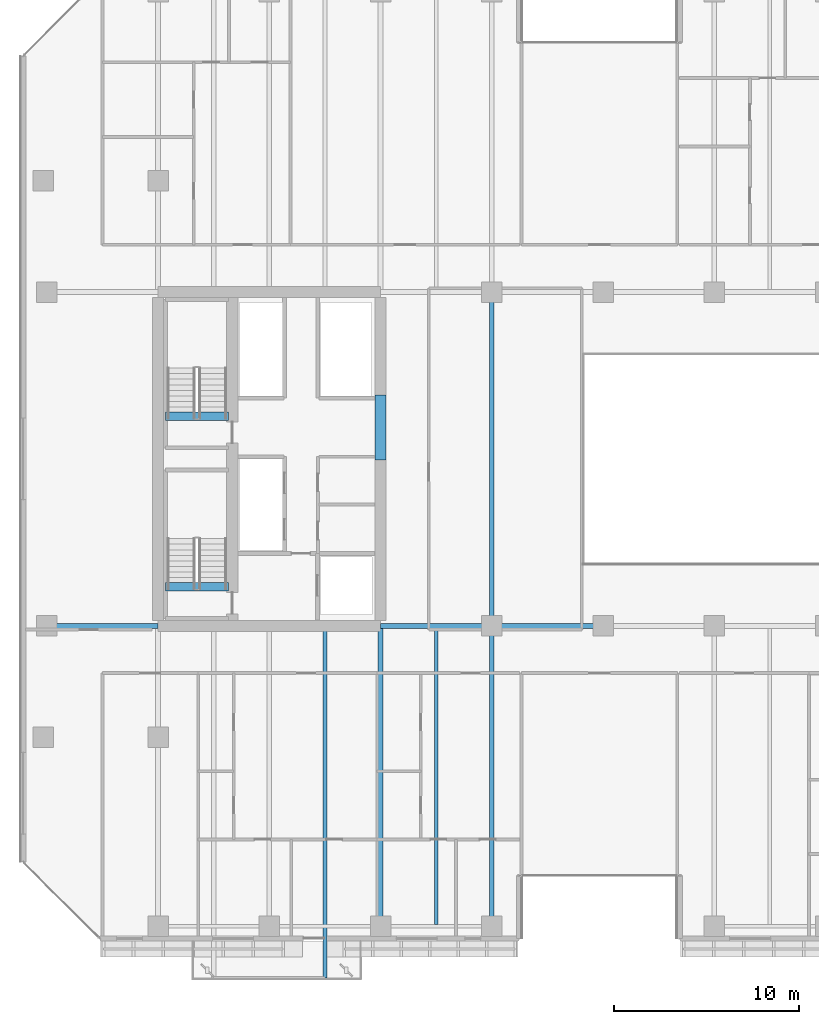
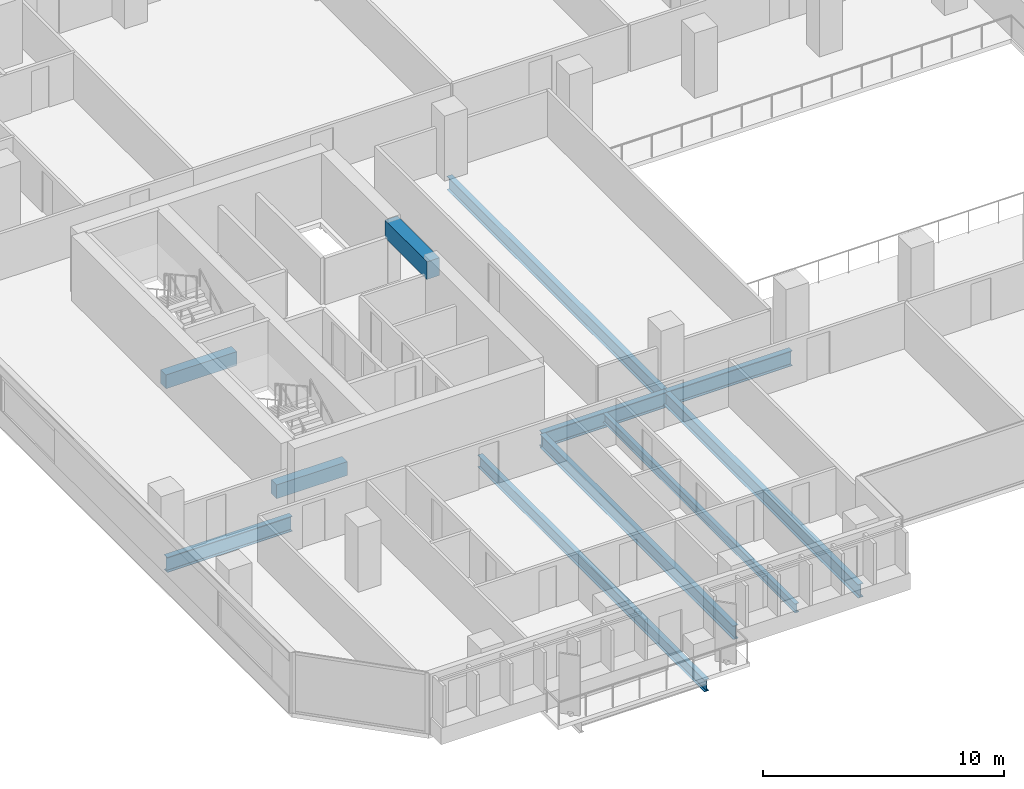
# One storey, part 5 of 34: 11 beams.
"""IFC4 building model written with IfcOpenShell, lengths in metres."""

from ifc_helpers import new_model, si_unit, direction, frame, origin, origin_2d, place, context, subcontext, project, spatial, rectangle, i_section, extrude, material, material_profile, profile_set, type_object, element, save


model = new_model("IFC4")

# Units and contexts
model_context = context("Model", 3, precision=1e-05, world=origin(), true_north=direction((0.0, 1.0)))
body_context = subcontext(model_context, "Body", "Model", "MODEL_VIEW")
ifc_project = project(units=[si_unit("LENGTHUNIT", "METRE"), si_unit("AREAUNIT", "SQUARE_METRE"), si_unit("VOLUMEUNIT", "CUBIC_METRE"), si_unit("PLANEANGLEUNIT", "RADIAN"), si_unit("MASSUNIT", "GRAM", prefix="KILO")], contexts=[model_context])

# Site, building, storey
site_placement = place(None, origin())
site = spatial("IfcSite", under=ifc_project, at=site_placement, CompositionType="ELEMENT")
building_placement = place(site_placement, origin())
building = spatial("IfcBuilding", under=site, at=building_placement, Name="Tanjung Sevakor Pilgrim Tower", CompositionType="ELEMENT")
storey_placement = place(building_placement, frame((0.0, 0.0, 55.43994140625)))
storey = spatial("IfcBuildingStorey", under=building, at=storey_placement, Name="L15", CompositionType="ELEMENT", Elevation=55.43994140625)

# Beams
ifc_material_1 = material(Name="Steel S355J2", Category="steel")
ifc_material_profile_1 = material_profile(ifc_material_1, i_section(OverallWidth=0.26806640625, OverallDepth=0.769775390625, WebThickness=0.015625, FlangeThickness=0.025390625, FilletRadius=0.0166015625, at=origin_2d()))
ifc_profile_set_1 = profile_set([ifc_material_profile_1], Name="Steel S355J2")
beam_type_1 = type_object("IfcBeamType", Name="BM-B-G1-UB_762x267x197", PredefinedType="BEAM", material=ifc_profile_set_1)
for number, where, z_axis, x_axis, name in (
    (1, (18.0, 24.60009765625, -0.604736328125), (1.0, 0.0, 0.0), (0.0, 1.0, 0.0), "L15 Primary Floor Girder MAIN Y246-01"),
    (2, (36.0, 24.60009765625, -0.604736328125), (1.0, 0.0, 0.0), (0.0, 1.0, 0.0), "L15 Primary Floor Girder MAIN Y246-02"),
    (3, (42.0, 24.60009765625, -0.604736328125), (1.0, 0.0, 0.0), (0.0, 1.0, 0.0), "L15 Primary Floor Girder MAIN Y246-03"),
):
    element("IfcBeam", number, at=place(storey_placement, frame(where, z_axis=z_axis, x_axis=x_axis)), inside=storey, type_object=beam_type_1, Name=name, PredefinedType="BEAM", context=body_context, shape_type="SweptSolid", body=[
        extrude(i_section(OverallWidth=0.26806640625, OverallDepth=0.769775390625, WebThickness=0.015625, FlangeThickness=0.025390625, FilletRadius=0.0166015625, at=origin_2d()), origin(), (0.0, 0.0, 1.0), 6.0),
    ])
ifc_material_2 = material(Name="Steel S355J2", Category="steel")
ifc_material_profile_2 = material_profile(ifc_material_2, i_section(OverallWidth=0.25439453125, OverallDepth=0.6875, WebThickness=0.01318359375, FlangeThickness=0.02099609375, FilletRadius=0.01513671875, at=origin_2d()))
ifc_profile_set_2 = profile_set([ifc_material_profile_2], Name="Steel S355J2")
beam_type_2 = type_object("IfcBeamType", Name="BM-B-G2-UB_686x254x152", PredefinedType="BEAM", material=ifc_profile_set_2)
beam_1_placement = place(storey_placement, frame((36.0, 8.39990234375, -0.563720703125), z_axis=(0.0, 1.0, 0.0), x_axis=(-1.0, 0.0, 0.0)))
element("IfcBeam", 4, at=beam_1_placement, inside=storey, type_object=beam_type_2, Name="L15 MAIN Girder 005", PredefinedType="BEAM", context=body_context, shape_type="SweptSolid", body=[
    extrude(i_section(OverallWidth=0.25439453125, OverallDepth=0.6875, WebThickness=0.01318359375, FlangeThickness=0.02099609375, FilletRadius=0.01513671875, at=origin_2d()), origin(), (0.0, 0.0, 1.0), 16.066162109375),
])
beam_2_placement = place(storey_placement, frame((42.0, 8.39990234375, -0.563720703125), z_axis=(0.0, 1.0, 0.0), x_axis=(-1.0, 0.0, 0.0)))
element("IfcBeam", 5, at=beam_2_placement, inside=storey, type_object=beam_type_2, Name="L15 MAIN Girder 009", PredefinedType="BEAM", context=body_context, shape_type="SweptSolid", body=[
    extrude(i_section(OverallWidth=0.25439453125, OverallDepth=0.6875, WebThickness=0.01318359375, FlangeThickness=0.02099609375, FilletRadius=0.01513671875, at=origin_2d()), origin(), (0.0, 0.0, 1.0), 16.2001953125),
])
beam_3_placement = place(storey_placement, frame((42.0, 24.60009765625, -0.563720703125), z_axis=(0.0, 1.0, 0.0), x_axis=(-1.0, 0.0, 0.0)))
element("IfcBeam", 6, at=beam_3_placement, inside=storey, type_object=beam_type_2, Name="L15 MAIN Girder 010", PredefinedType="BEAM", context=body_context, shape_type="SweptSolid", body=[
    extrude(i_section(OverallWidth=0.25439453125, OverallDepth=0.6875, WebThickness=0.01318359375, FlangeThickness=0.02099609375, FilletRadius=0.01513671875, at=origin_2d()), origin(), (0.0, 0.0, 1.0), 18.0),
])
ifc_material_3 = material(Name="Steel S355J2", Category="steel")
ifc_material_profile_3 = material_profile(ifc_material_3, i_section(OverallWidth=0.22900390625, OverallDepth=0.6123046875, WebThickness=0.011962890625, FlangeThickness=0.01953125, FilletRadius=0.0126953125, at=origin_2d()))
ifc_profile_set_3 = profile_set([ifc_material_profile_3], Name="Steel S355J2")
beam_type_3 = type_object("IfcBeamType", Name="BM-B-G4-UB_610x229x125", PredefinedType="BEAM", material=ifc_profile_set_3)
beam_4_placement = place(storey_placement, frame((33.0, 24.466064453125, -0.526123046875), z_axis=(0.0, -1.0, 0.0), x_axis=(1.0, 0.0, 0.0)))
element("IfcBeam", 7, at=beam_4_placement, inside=storey, type_object=beam_type_3, Name="L15 Balcony Cantilever Beam MAIN-S1-2", PredefinedType="BEAM", context=body_context, shape_type="SweptSolid", body=[
    extrude(i_section(OverallWidth=0.22900390625, OverallDepth=0.6123046875, WebThickness=0.011962890625, FlangeThickness=0.01953125, FilletRadius=0.0126953125, at=origin_2d()), origin(), (0.0, 0.0, 1.0), 18.845947265625),
])
ifc_material_4 = material(Name="Steel S355J2", Category="steel")
ifc_material_profile_4 = material_profile(ifc_material_4, i_section(OverallWidth=0.19140625, OverallDepth=0.4599609375, WebThickness=0.010009765625, FlangeThickness=0.01611328125, FilletRadius=0.01025390625, at=origin_2d()))
ifc_profile_set_4 = profile_set([ifc_material_profile_4], Name="Steel S355J2")
beam_type_4 = type_object("IfcBeamType", Name="BM-B-J2-UB_457x191x82", PredefinedType="JOIST", material=ifc_profile_set_4)
beam_5_placement = place(storey_placement, frame((39.0, 8.5, -0.449951171875), z_axis=(0.0, 1.0, 0.0), x_axis=(-1.0, 0.0, 0.0)))
element("IfcBeam", 8, at=beam_5_placement, inside=storey, type_object=beam_type_4, Name="L15 MAIN Joist 007", PredefinedType="JOIST", context=body_context, shape_type="SweptSolid", body=[
    extrude(i_section(OverallWidth=0.19140625, OverallDepth=0.4599609375, WebThickness=0.010009765625, FlangeThickness=0.01611328125, FilletRadius=0.01025390625, at=origin_2d()), origin(), (0.0, 0.0, 1.0), 15.966064453125),
])
ifc_material_5 = material(Name="Concrete C60/75", Category="concrete")
ifc_material_profile_5 = material_profile(ifc_material_5, rectangle(XDim=0.60009765625, YDim=0.89990234375, at=origin_2d()))
ifc_profile_set_5 = profile_set([ifc_material_profile_5], Name="Concrete C60/75")
beam_type_5 = type_object("IfcBeamType", Name="BM-B-LN1-RC-BM_600x900", PredefinedType="LINTEL", material=ifc_profile_set_5)
beam_6_placement = place(storey_placement, frame((36.0, 33.550048828125, 2.630126953125), z_axis=(0.0, 1.0, 0.0), x_axis=(-1.0, 0.0, 0.0)))
element("IfcBeam", 9, at=beam_6_placement, inside=storey, type_object=beam_type_5, Name="L15 W Core Coupling Lintel", PredefinedType="LINTEL", context=body_context, shape_type="SweptSolid", body=[
    extrude(rectangle(XDim=0.60009765625, YDim=0.89990234375, at=origin_2d()), origin(), (0.0, 0.0, 1.0), 3.5),
])
ifc_material_6 = material(Name="Concrete C60/75", Category="concrete")
ifc_material_profile_6 = material_profile(ifc_material_6, rectangle(XDim=0.449951171875, YDim=0.699951171875, at=origin_2d()))
ifc_profile_set_6 = profile_set([ifc_material_profile_6], Name="Concrete C60/75")
beam_type_6 = type_object("IfcBeamType", Name="BM-B-LN3-RC-BM_450x700", PredefinedType="LINTEL", material=ifc_profile_set_6)
for number, where, z_axis, x_axis, name in (
    (10, (24.39990234375, 26.699951171875, -0.349853515625), (1.0, 0.0, 0.0), (0.0, 1.0, 0.0), "L15 TS-W1 Stair Threshold Beam"),
    (11, (24.39990234375, 35.89990234375, -0.349853515625), (1.0, 0.0, 0.0), (0.0, 1.0, 0.0), "L15 TS-W2 Stair Threshold Beam"),
):
    element("IfcBeam", number, at=place(storey_placement, frame(where, z_axis=z_axis, x_axis=x_axis)), inside=storey, type_object=beam_type_6, Name=name, PredefinedType="LINTEL", context=body_context, shape_type="SweptSolid", body=[
        extrude(rectangle(XDim=0.449951171875, YDim=0.699951171875, at=origin_2d()), origin(), (0.0, 0.0, 1.0), 3.400146484375),
    ])

save(model, "model.ifc")
